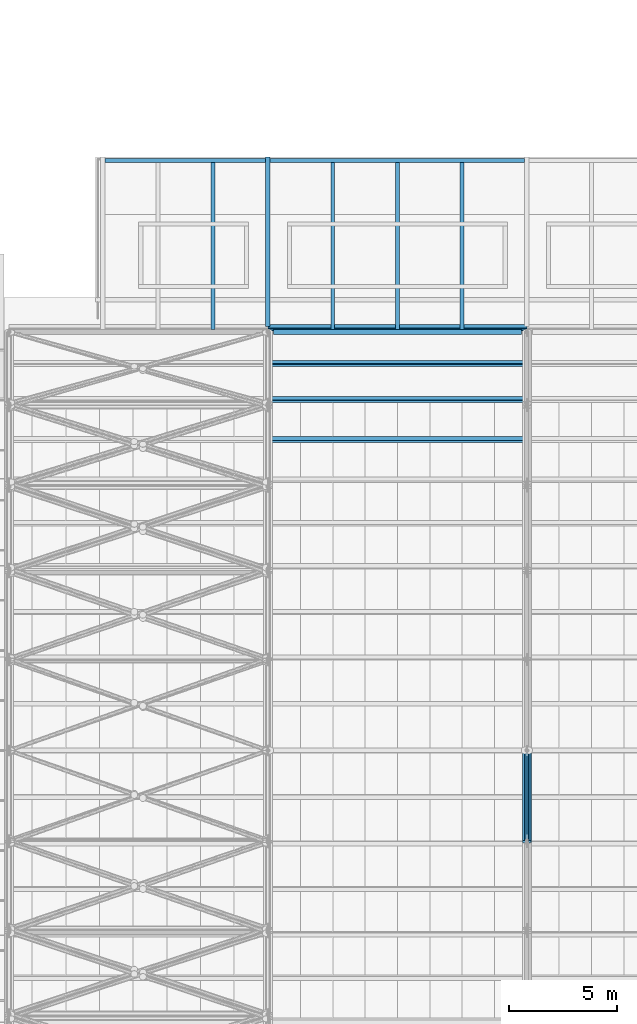
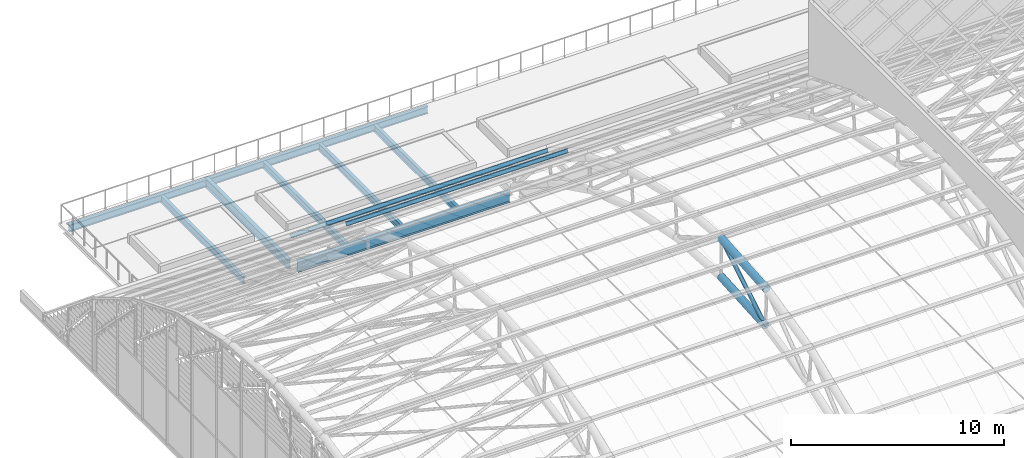
# One storey, part 16 of 110: 8 beams, 7 members.
"""IFC4 building model written with IfcOpenShell, lengths in metres."""

from ifc_helpers import new_model, si_unit, direction, frame, origin, origin_2d, place, context, subcontext, project, spatial, hollow_circle, i_section, extrude, material, material_profile, profile_set, type_object, element, save


model = new_model("IFC4")

# Units and contexts
model_context = context("Model", 3, precision=1e-05, world=origin(), true_north=direction((0.0, 1.0)))
body_context = subcontext(model_context, "Body", "Model", "MODEL_VIEW")
ifc_project = project(units=[si_unit("LENGTHUNIT", "METRE"), si_unit("AREAUNIT", "SQUARE_METRE"), si_unit("VOLUMEUNIT", "CUBIC_METRE"), si_unit("PLANEANGLEUNIT", "RADIAN"), si_unit("MASSUNIT", "GRAM", prefix="KILO")], contexts=[model_context])

# Site, building, storey
site_placement = place(None, origin())
site = spatial("IfcSite", under=ifc_project, at=site_placement, CompositionType="ELEMENT")
building_placement = place(site_placement, origin())
building = spatial("IfcBuilding", under=site, at=building_placement, Name="Windward Yard Aquatics Centre", CompositionType="ELEMENT")
storey_placement = place(building_placement, frame((0.0, 0.0, 22.60009765625)))
storey = spatial("IfcBuildingStorey", under=building, at=storey_placement, Name="L05", CompositionType="ELEMENT", Elevation=22.60009765625)

# Members
ifc_material_1 = material(Name="Steel ASTM A500 Gr C", Category="steel")
ifc_material_profile_1 = material_profile(ifc_material_1, hollow_circle(Radius=0.203125, WallThickness=0.015869140625, at=origin_2d()), Name="HSS406.4X15.9")
ifc_profile_set_1 = profile_set([ifc_material_profile_1], Name="Steel ASTM A500 Gr C")
member_type_1 = type_object("IfcMemberType", Name="H arch top chord HSS406.4X15.9", PredefinedType="CHORD", material=ifc_profile_set_1)
member_1_placement = place(storey_placement, frame((84.0, 56.7314453125, 8.4697265625), z_axis=(0.0, 0.997080259355, 0.076360699341), x_axis=(-1.0, 0.0, 0.0)))
element("IfcMember", 1, at=member_1_placement, inside=storey, type_object=member_type_1, Name="H.AT.3.TC05", PredefinedType="CHORD", context=body_context, shape_type="SweptSolid", body=[
    extrude(hollow_circle(Radius=0.203125, WallThickness=0.015869140625, at=origin_2d()), origin(), (0.0, 0.0, 1.0), 4.281005859375),
])
member_2_placement = place(storey_placement, frame((84.0, 56.83935546875, 6.323486328125), z_axis=(0.0, 0.997851241995, 0.065520217098), x_axis=(-1.0, 0.0, 0.0)))
element("IfcMember", 2, at=member_2_placement, inside=storey, type_object=member_type_1, Name="H.AT.3.BC05", PredefinedType="CHORD", context=body_context, shape_type="SweptSolid", body=[
    extrude(hollow_circle(Radius=0.203125, WallThickness=0.015869140625, at=origin_2d()), origin(), (0.0, 0.0, 1.0), 4.169677734375),
])
ifc_material_profile_2 = material_profile(ifc_material_1, hollow_circle(Radius=0.109619140625, WallThickness=0.00830078125, at=origin_2d()), Name="HSS219.1X8.2")
ifc_profile_set_2 = profile_set([ifc_material_profile_2], Name="Steel ASTM A500 Gr C")
member_type_2 = type_object("IfcMemberType", Name="H arch web diagonal HSS219.1X8.2", PredefinedType="BRACE", material=ifc_profile_set_2)
member_3_placement = place(storey_placement, frame((84.0, 56.83935546875, 6.323486328125), z_axis=(0.0, 0.859604150376, 0.51096057055), x_axis=(-1.0, 0.0, 0.0)))
element("IfcMember", 3, at=member_3_placement, inside=storey, type_object=member_type_2, Name="H.AT.3.WD05", PredefinedType="BRACE", context=body_context, shape_type="SweptSolid", body=[
    extrude(hollow_circle(Radius=0.109619140625, WallThickness=0.00830078125, at=origin_2d()), origin(), (0.0, 0.0, 1.0), 4.840087890625),
])

# Beam
ifc_material_2 = material(Name="Steel ASTM A992 Gr 50", Category="steel")
ifc_material_profile_3 = material_profile(ifc_material_2, i_section(OverallWidth=0.22802734375, OverallDepth=0.60205078125, WebThickness=0.010498046875, FlangeThickness=0.014892578125, at=origin_2d()), Name="W610X101")
ifc_profile_set_3 = profile_set([ifc_material_profile_3], Name="Steel ASTM A992 Gr 50")
beam_type_1 = type_object("IfcBeamType", Name="H eave girder W610X101", PredefinedType="BEAM", material=ifc_profile_set_3)
beam_1_placement = place(storey_placement, frame((72.25390625, 80.39990234375, -0.451171875), z_axis=(1.0, 0.0, 0.0), x_axis=(0.0, 1.0, 0.0)))
element("IfcBeam", 4, at=beam_1_placement, inside=storey, type_object=beam_type_1, Name="H.EG.N2", PredefinedType="BEAM", context=body_context, shape_type="SweptSolid", body=[
    extrude(i_section(OverallWidth=0.22802734375, OverallDepth=0.60205078125, WebThickness=0.010498046875, FlangeThickness=0.014892578125, at=origin_2d()), origin(), (0.0, 0.0, 1.0), 11.4921875),
])

# Members
ifc_material_profile_4 = material_profile(ifc_material_2, i_section(OverallWidth=0.202880859375, OverallDepth=0.202880859375, WebThickness=0.00732421875, FlangeThickness=0.010986328125, at=origin_2d()), Name="W200X46.1")
ifc_profile_set_4 = profile_set([ifc_material_profile_4], Name="Steel ASTM A992 Gr 50")
member_type_3 = type_object("IfcMemberType", Name="H roof purlin W200X46.1", PredefinedType="PURLIN", material=ifc_profile_set_4)
for number, where, z_axis, x_axis, name in (
    (5, (72.0, 75.406494140625, 5.0712890625), (1.0, 0.0, 0.0), (0.0, 0.860270260664, -0.509838286732), "H.PU.2.18"),
    (6, (72.0, 77.267333984375, 3.96728515625), (1.0, 0.0, 0.0), (0.0, 0.818830898872, -0.574034806481), "H.PU.2.19"),
    (7, (72.0, 78.939697265625, 2.59423828125), (1.0, 0.0, 0.0), (0.0, 0.772610863417, -0.634879873464), "H.PU.2.20"),
    (8, (72.0, 80.593505859375, 1.2353515625), (1.0, 0.0, 0.0), (0.0, 0.772610863417, -0.634879873464), "H.PU.2.21"),
):
    element("IfcMember", number, at=place(storey_placement, frame(where, z_axis=z_axis, x_axis=x_axis)), inside=storey, type_object=member_type_3, Name=name, PredefinedType="PURLIN", context=body_context, shape_type="SweptSolid", body=[
        extrude(i_section(OverallWidth=0.202880859375, OverallDepth=0.202880859375, WebThickness=0.00732421875, FlangeThickness=0.010986328125, at=origin_2d()), origin(), (0.0, 0.0, 1.0), 12.0),
    ])

# Beams
ifc_material_profile_5 = material_profile(ifc_material_2, i_section(OverallWidth=0.208984375, OverallDepth=0.528076171875, WebThickness=0.009521484375, FlangeThickness=0.01318359375, at=origin_2d()), Name="W530X82")
ifc_profile_set_5 = profile_set([ifc_material_profile_5], Name="Steel ASTM A992 Gr 50")
beam_type_2 = type_object("IfcBeamType", Name="H terrace primary beam W530X82", PredefinedType="BEAM", material=ifc_profile_set_5)
beam_2_placement = place(storey_placement, frame((72.0, 88.5, -0.4140625), z_axis=(0.0, -1.0, 0.0), x_axis=(1.0, 0.0, 0.0)))
element("IfcBeam", 9, at=beam_2_placement, inside=storey, type_object=beam_type_2, Name="H.T2B.N2", PredefinedType="BEAM", context=body_context, shape_type="SweptSolid", body=[
    extrude(i_section(OverallWidth=0.208984375, OverallDepth=0.528076171875, WebThickness=0.009521484375, FlangeThickness=0.01318359375, at=origin_2d()), origin(), (0.0, 0.0, 1.0), 7.845947265625),
])
ifc_material_profile_6 = material_profile(ifc_material_2, i_section(OverallWidth=0.177978515625, OverallDepth=0.406005859375, WebThickness=0.0078125, FlangeThickness=0.0126953125, at=origin_2d()), Name="W410X60")
ifc_profile_set_6 = profile_set([ifc_material_profile_6], Name="Steel ASTM A992 Gr 50")
beam_type_3 = type_object("IfcBeamType", Name="H terrace secondary beam W410X60", PredefinedType="BEAM", material=ifc_profile_set_6)
beam_3_placement = place(storey_placement, frame((64.45458984375, 88.34228515625, -0.35302734375), z_axis=(1.0, 0.0, 0.0), x_axis=(0.0, 1.0, 0.0)))
element("IfcBeam", 10, at=beam_3_placement, inside=storey, type_object=beam_type_3, Name="H.T2E.N1", PredefinedType="BEAM", context=body_context, shape_type="SweptSolid", body=[
    extrude(i_section(OverallWidth=0.177978515625, OverallDepth=0.406005859375, WebThickness=0.0078125, FlangeThickness=0.0126953125, at=origin_2d()), origin(), (0.0, 0.0, 1.0), 7.44091796875),
])
beam_4_placement = place(storey_placement, frame((69.449951171875, 88.25341796875, -0.35302734375), z_axis=(0.0, -1.0, 0.0), x_axis=(1.0, 0.0, 0.0)))
element("IfcBeam", 11, at=beam_4_placement, inside=storey, type_object=beam_type_3, Name="H.T2S.N1.2", PredefinedType="BEAM", context=body_context, shape_type="SweptSolid", body=[
    extrude(i_section(OverallWidth=0.177978515625, OverallDepth=0.406005859375, WebThickness=0.0078125, FlangeThickness=0.0126953125, at=origin_2d()), origin(), (0.0, 0.0, 1.0), 7.739501953125),
])
beam_5_placement = place(storey_placement, frame((72.1044921875, 88.34228515625, -0.35302734375), z_axis=(1.0, 0.0, 0.0), x_axis=(0.0, 1.0, 0.0)))
element("IfcBeam", 12, at=beam_5_placement, inside=storey, type_object=beam_type_3, Name="H.T2E.N2", PredefinedType="BEAM", context=body_context, shape_type="SweptSolid", body=[
    extrude(i_section(OverallWidth=0.177978515625, OverallDepth=0.406005859375, WebThickness=0.0078125, FlangeThickness=0.0126953125, at=origin_2d()), origin(), (0.0, 0.0, 1.0), 11.791015625),
])
for number, where, z_axis, x_axis, name in (
    (13, (75.0, 88.25341796875, -0.35302734375), (0.0, -1.0, 0.0), (1.0, 0.0, 0.0), "H.T2S.N2.1"),
    (14, (78.0, 88.25341796875, -0.35302734375), (0.0, -1.0, 0.0), (1.0, 0.0, 0.0), "H.T2S.N2.2"),
    (15, (81.0, 88.25341796875, -0.35302734375), (0.0, -1.0, 0.0), (1.0, 0.0, 0.0), "H.T2S.N2.3"),
):
    element("IfcBeam", number, at=place(storey_placement, frame(where, z_axis=z_axis, x_axis=x_axis)), inside=storey, type_object=beam_type_3, Name=name, PredefinedType="BEAM", context=body_context, shape_type="SweptSolid", body=[
        extrude(i_section(OverallWidth=0.177978515625, OverallDepth=0.406005859375, WebThickness=0.0078125, FlangeThickness=0.0126953125, at=origin_2d()), origin(), (0.0, 0.0, 1.0), 7.739501953125),
    ])

save(model, "model.ifc")
